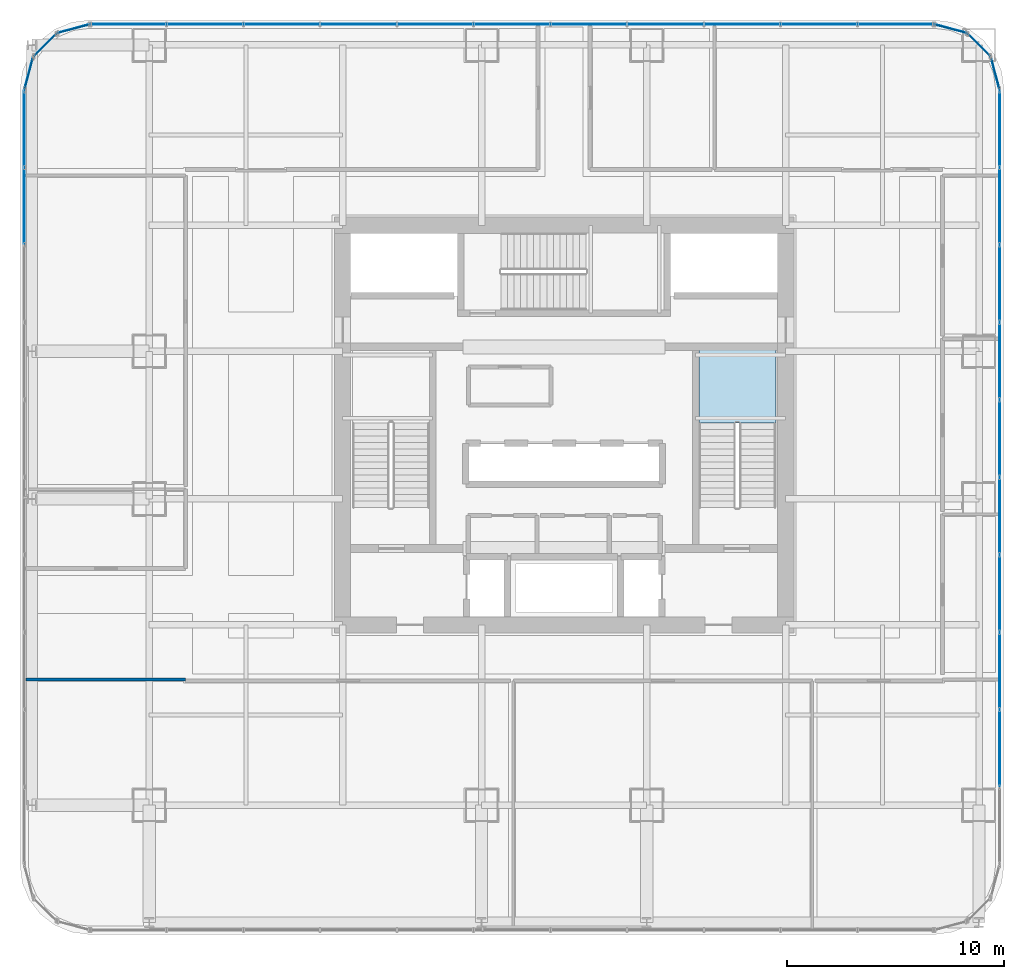
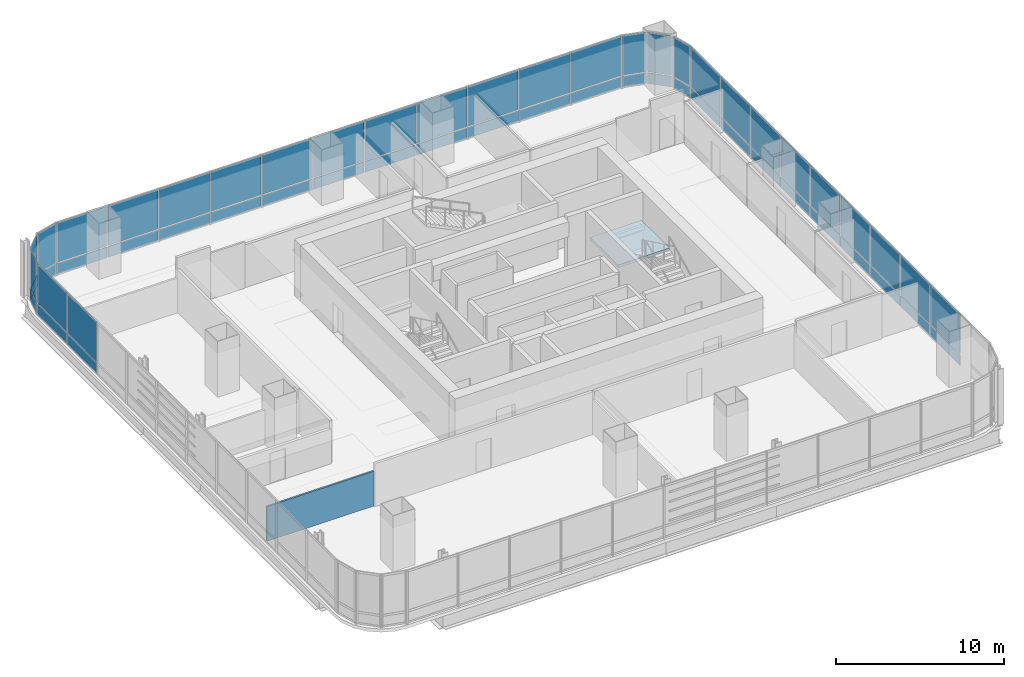
# One storey, part 27 of 36: 56 plates, 1 slab, 1 wall, 10 elements without a shape of their own.
"""IFC4 building model written with IfcOpenShell, lengths in metres."""

from ifc_helpers import new_model, si_unit, direction, frame, frame_2d, origin, origin_2d, place, context, subcontext, project, spatial, polyline, rectangle, outline, extrude, material, layer, layer_set, type_object, element, aggregate, save


model = new_model("IFC4")

# Units and contexts
model_context = context("Model", 3, precision=1e-05, world=origin(), true_north=direction((0.0, 1.0)))
body_context = subcontext(model_context, "Body", "Model", "MODEL_VIEW")
ifc_project = project(units=[si_unit("LENGTHUNIT", "METRE"), si_unit("AREAUNIT", "SQUARE_METRE"), si_unit("VOLUMEUNIT", "CUBIC_METRE"), si_unit("PLANEANGLEUNIT", "RADIAN"), si_unit("MASSUNIT", "GRAM", prefix="KILO")], contexts=[model_context])

# Site, building, storey
site_placement = place(None, origin())
site = spatial("IfcSite", under=ifc_project, at=site_placement, CompositionType="ELEMENT")
building_placement = place(site_placement, origin())
building = spatial("IfcBuilding", under=site, at=building_placement, Name="Punatoya Terracotta Tower", CompositionType="ELEMENT")
storey_placement = place(building_placement, frame((0.0, 0.0, 36.300048828125)))
storey = spatial("IfcBuildingStorey", under=building, at=storey_placement, Name="L07", CompositionType="ELEMENT", Elevation=36.300048828125)

# Curtain wall, plates
ifc_material_1 = material(Name="Aluminium 6063-T6 + Double Low-E Glass", Category="aluminium")
curtain_wall_type = type_object("IfcCurtainWallType", Name="CW-M1", PredefinedType="NOTDEFINED", material=ifc_material_1)
curtain_wall_1_placement = place(storey_placement, origin())
curtain_wall_1 = element("IfcCurtainWall", 1, at=curtain_wall_1_placement, inside=storey, type_object=curtain_wall_type, Name="L07 Curtain Wall CW-L07-E05-1", PredefinedType="NOTDEFINED")
ifc_material_2 = material(Name="Double Low-E Clear Vision Glass", Category="glass")
ifc_layer_1 = layer(ifc_material_2, 0.028076171875)
ifc_layer_set_1 = layer_set([ifc_layer_1], Name="Double Low-E Clear Vision Glass")
plate_type_1 = type_object("IfcPlateType", Name="PLT-GLZ-28", PredefinedType="CURTAIN_PANEL", material=ifc_layer_set_1)
plate_1_placement = place(storey_placement, frame((20.050048828125, -14.8857421875, 0.889892578125), z_axis=(0.0, 0.0, 1.0), x_axis=(0.0, 1.0, 0.0)))
plate_1 = element("IfcPlate", 2, at=plate_1_placement, type_object=plate_type_1, Name="CW-L07-E05-1 Vision Glass Panel 2", PredefinedType="CURTAIN_PANEL", context=body_context, shape_type="SweptSolid", body=[
    extrude(rectangle(XDim=3.482421875, YDim=0.028076171875, at=origin_2d()), origin(), (0.0, 0.0, 1.0), 2.8798828125),
])
plate_2_placement = place(storey_placement, frame((20.050048828125, -11.318359375, 0.889892578125), z_axis=(0.0, 0.0, 1.0), x_axis=(0.0, 1.0, 0.0)))
plate_2 = element("IfcPlate", 3, at=plate_2_placement, type_object=plate_type_1, Name="CW-L07-E05-1 Vision Glass Panel 3", PredefinedType="CURTAIN_PANEL", context=body_context, shape_type="SweptSolid", body=[
    extrude(rectangle(XDim=3.482421875, YDim=0.028076171875, at=origin_2d()), origin(), (0.0, 0.0, 1.0), 2.8798828125),
])
plate_3_placement = place(storey_placement, frame((20.050048828125, -7.751220703125, 0.889892578125), z_axis=(0.0, 0.0, 1.0), x_axis=(0.0, 1.0, 0.0)))
plate_3 = element("IfcPlate", 4, at=plate_3_placement, type_object=plate_type_1, Name="CW-L07-E05-1 Vision Glass Panel 4", PredefinedType="CURTAIN_PANEL", context=body_context, shape_type="SweptSolid", body=[
    extrude(rectangle(XDim=3.482421875, YDim=0.028076171875, at=origin_2d()), origin(), (0.0, 0.0, 1.0), 2.8798828125),
])
plate_4_placement = place(storey_placement, frame((20.050048828125, -4.18359375, 0.889892578125), z_axis=(0.0, 0.0, 1.0), x_axis=(0.0, 1.0, 0.0)))
plate_4 = element("IfcPlate", 5, at=plate_4_placement, type_object=plate_type_1, Name="CW-L07-E05-1 Vision Glass Panel 5", PredefinedType="CURTAIN_PANEL", context=body_context, shape_type="SweptSolid", body=[
    extrude(rectangle(XDim=3.482421875, YDim=0.028076171875, at=origin_2d()), origin(), (0.0, 0.0, 1.0), 2.8798828125),
])
plate_5_placement = place(storey_placement, frame((20.050048828125, -0.6162109375, 0.889892578125), z_axis=(0.0, 0.0, 1.0), x_axis=(0.0, 1.0, 0.0)))
plate_5 = element("IfcPlate", 6, at=plate_5_placement, type_object=plate_type_1, Name="CW-L07-E05-1 Vision Glass Panel 6", PredefinedType="CURTAIN_PANEL", context=body_context, shape_type="SweptSolid", body=[
    extrude(rectangle(XDim=3.482421875, YDim=0.028076171875, at=origin_2d()), origin(), (0.0, 0.0, 1.0), 2.8798828125),
])
plate_6_placement = place(storey_placement, frame((20.050048828125, 2.951171875, 0.889892578125), z_axis=(0.0, 0.0, 1.0), x_axis=(0.0, 1.0, 0.0)))
plate_6 = element("IfcPlate", 7, at=plate_6_placement, type_object=plate_type_1, Name="CW-L07-E05-1 Vision Glass Panel 7", PredefinedType="CURTAIN_PANEL", context=body_context, shape_type="SweptSolid", body=[
    extrude(rectangle(XDim=3.482421875, YDim=0.028076171875, at=origin_2d()), origin(), (0.0, 0.0, 1.0), 2.8798828125),
])
plate_7_placement = place(storey_placement, frame((20.050048828125, 6.518310546875, 0.889892578125), z_axis=(0.0, 0.0, 1.0), x_axis=(0.0, 1.0, 0.0)))
plate_7 = element("IfcPlate", 8, at=plate_7_placement, type_object=plate_type_1, Name="CW-L07-E05-1 Vision Glass Panel 8", PredefinedType="CURTAIN_PANEL", context=body_context, shape_type="SweptSolid", body=[
    extrude(rectangle(XDim=3.482421875, YDim=0.028076171875, at=origin_2d()), origin(), (0.0, 0.0, 1.0), 2.8798828125),
])
plate_8_placement = place(storey_placement, frame((20.050048828125, 10.085693359375, 0.889892578125), z_axis=(0.0, 0.0, 1.0), x_axis=(0.0, 1.0, 0.0)))
plate_8 = element("IfcPlate", 9, at=plate_8_placement, type_object=plate_type_1, Name="CW-L07-E05-1 Vision Glass Panel 9", PredefinedType="CURTAIN_PANEL", context=body_context, shape_type="SweptSolid", body=[
    extrude(rectangle(XDim=3.482421875, YDim=0.028076171875, at=origin_2d()), origin(), (0.0, 0.0, 1.0), 2.8798828125),
])
plate_9_placement = place(storey_placement, frame((20.050048828125, 13.6533203125, 0.889892578125), z_axis=(0.0, 0.0, 1.0), x_axis=(0.0, 1.0, 0.0)))
plate_9 = element("IfcPlate", 10, at=plate_9_placement, type_object=plate_type_1, Name="CW-L07-E05-1 Vision Glass Panel 10", PredefinedType="CURTAIN_PANEL", context=body_context, shape_type="SweptSolid", body=[
    extrude(rectangle(XDim=3.482421875, YDim=0.028076171875, at=origin_2d()), origin(), (0.0, 0.0, 1.0), 2.8798828125),
])

# Curtain wall, plate
curtain_wall_2_placement = place(storey_placement, origin())
curtain_wall_2 = element("IfcCurtainWall", 11, at=curtain_wall_2_placement, inside=storey, type_object=curtain_wall_type, Name="L07 Curtain Wall CW-L07-CRN06", PredefinedType="NOTDEFINED")
plate_10_placement = place(storey_placement, frame((19.848388671875, 16.193115234375, 0.889892578125), z_axis=(0.0, 0.0, 1.0), x_axis=(-0.257741620719, 0.966213877436, 0.0)))
plate_10 = element("IfcPlate", 12, at=plate_10_placement, type_object=plate_type_1, Name="CW-L07-CRN06 Vision Glass Panel 1", PredefinedType="CURTAIN_PANEL", context=body_context, shape_type="SweptSolid", body=[
    extrude(rectangle(XDim=1.47998046875, YDim=0.028076171875, at=origin_2d()), origin(), (0.0, 0.0, 1.0), 2.8798828125),
])

curtain_wall_3_placement = place(storey_placement, origin())
curtain_wall_3 = element("IfcCurtainWall", 13, at=curtain_wall_3_placement, inside=storey, type_object=curtain_wall_type, Name="L07 Curtain Wall CW-L07-CRN07", PredefinedType="NOTDEFINED")
plate_11_placement = place(storey_placement, frame((19.097900390625, 17.497802734375, 0.889892578125), z_axis=(0.0, 0.0, 1.0), x_axis=(-0.707106781187, 0.707106781187, 0.0)))
plate_11 = element("IfcPlate", 14, at=plate_11_placement, type_object=plate_type_1, Name="CW-L07-CRN07 Vision Glass Panel 1", PredefinedType="CURTAIN_PANEL", context=body_context, shape_type="SweptSolid", body=[
    extrude(rectangle(XDim=1.467041015625, YDim=0.028076171875, at=origin_2d()), origin(), (0.0, 0.0, 1.0), 2.8798828125),
])

curtain_wall_4_placement = place(storey_placement, origin())
curtain_wall_4 = element("IfcCurtainWall", 15, at=curtain_wall_4_placement, inside=storey, type_object=curtain_wall_type, Name="L07 Curtain Wall CW-L07-CRN08", PredefinedType="NOTDEFINED")
plate_12_placement = place(storey_placement, frame((17.79296875, 18.248291015625, 0.889892578125), z_axis=(0.0, 0.0, 1.0), x_axis=(-0.966213877436, 0.257741620719, 0.0)))
plate_12 = element("IfcPlate", 16, at=plate_12_placement, type_object=plate_type_1, Name="CW-L07-CRN08 Vision Glass Panel 1", PredefinedType="CURTAIN_PANEL", context=body_context, shape_type="SweptSolid", body=[
    extrude(rectangle(XDim=1.47998046875, YDim=0.028076171875, at=origin_2d()), origin(), (0.0, 0.0, 1.0), 2.8798828125),
])

# Curtain wall, plates
curtain_wall_5_placement = place(storey_placement, origin())
curtain_wall_5 = element("IfcCurtainWall", 17, at=curtain_wall_5_placement, inside=storey, type_object=curtain_wall_type, Name="L07 Curtain Wall CW-L07-N09-1", PredefinedType="NOTDEFINED")
plate_13_placement = place(storey_placement, frame((15.27001953125, 18.449951171875, 0.889892578125), z_axis=(0.0, 0.0, 1.0), x_axis=(-1.0, 0.0, 0.0)))
plate_13 = element("IfcPlate", 18, at=plate_13_placement, type_object=plate_type_1, Name="CW-L07-N09-1 Vision Glass Panel 1", PredefinedType="CURTAIN_PANEL", context=body_context, shape_type="SweptSolid", body=[
    extrude(rectangle(XDim=3.448974609375, YDim=0.028076171875, at=origin_2d()), origin(), (0.0, 0.0, 1.0), 2.8798828125),
])
plate_14_placement = place(storey_placement, frame((11.73583984375, 18.449951171875, 0.889892578125), z_axis=(0.0, 0.0, 1.0), x_axis=(-1.0, 0.0, 0.0)))
plate_14 = element("IfcPlate", 19, at=plate_14_placement, type_object=plate_type_1, Name="CW-L07-N09-1 Vision Glass Panel 2", PredefinedType="CURTAIN_PANEL", context=body_context, shape_type="SweptSolid", body=[
    extrude(rectangle(XDim=3.448974609375, YDim=0.028076171875, at=origin_2d()), origin(), (0.0, 0.0, 1.0), 2.8798828125),
])
plate_15_placement = place(storey_placement, frame((8.201904296875, 18.449951171875, 0.889892578125), z_axis=(0.0, 0.0, 1.0), x_axis=(-1.0, 0.0, 0.0)))
plate_15 = element("IfcPlate", 20, at=plate_15_placement, type_object=plate_type_1, Name="CW-L07-N09-1 Vision Glass Panel 3", PredefinedType="CURTAIN_PANEL", context=body_context, shape_type="SweptSolid", body=[
    extrude(rectangle(XDim=3.448974609375, YDim=0.028076171875, at=origin_2d()), origin(), (0.0, 0.0, 1.0), 2.8798828125),
])
plate_16_placement = place(storey_placement, frame((4.66796875, 18.449951171875, 0.889892578125), z_axis=(0.0, 0.0, 1.0), x_axis=(-1.0, 0.0, 0.0)))
plate_16 = element("IfcPlate", 21, at=plate_16_placement, type_object=plate_type_1, Name="CW-L07-N09-1 Vision Glass Panel 4", PredefinedType="CURTAIN_PANEL", context=body_context, shape_type="SweptSolid", body=[
    extrude(rectangle(XDim=3.448974609375, YDim=0.028076171875, at=origin_2d()), origin(), (0.0, 0.0, 1.0), 2.8798828125),
])
plate_17_placement = place(storey_placement, frame((1.134033203125, 18.449951171875, 0.889892578125), z_axis=(0.0, 0.0, 1.0), x_axis=(-1.0, 0.0, 0.0)))
plate_17 = element("IfcPlate", 22, at=plate_17_placement, type_object=plate_type_1, Name="CW-L07-N09-1 Vision Glass Panel 5", PredefinedType="CURTAIN_PANEL", context=body_context, shape_type="SweptSolid", body=[
    extrude(rectangle(XDim=3.448974609375, YDim=0.028076171875, at=origin_2d()), origin(), (0.0, 0.0, 1.0), 2.8798828125),
])
plate_18_placement = place(storey_placement, frame((-2.39990234375, 18.449951171875, 0.889892578125), z_axis=(0.0, 0.0, 1.0), x_axis=(-1.0, 0.0, 0.0)))
plate_18 = element("IfcPlate", 23, at=plate_18_placement, type_object=plate_type_1, Name="CW-L07-N09-1 Vision Glass Panel 6", PredefinedType="CURTAIN_PANEL", context=body_context, shape_type="SweptSolid", body=[
    extrude(rectangle(XDim=3.448974609375, YDim=0.028076171875, at=origin_2d()), origin(), (0.0, 0.0, 1.0), 2.8798828125),
])
plate_19_placement = place(storey_placement, frame((-5.93408203125, 18.449951171875, 0.889892578125), z_axis=(0.0, 0.0, 1.0), x_axis=(-1.0, 0.0, 0.0)))
plate_19 = element("IfcPlate", 24, at=plate_19_placement, type_object=plate_type_1, Name="CW-L07-N09-1 Vision Glass Panel 7", PredefinedType="CURTAIN_PANEL", context=body_context, shape_type="SweptSolid", body=[
    extrude(rectangle(XDim=3.448974609375, YDim=0.028076171875, at=origin_2d()), origin(), (0.0, 0.0, 1.0), 2.8798828125),
])
plate_20_placement = place(storey_placement, frame((-9.468017578125, 18.449951171875, 0.889892578125), z_axis=(0.0, 0.0, 1.0), x_axis=(-1.0, 0.0, 0.0)))
plate_20 = element("IfcPlate", 25, at=plate_20_placement, type_object=plate_type_1, Name="CW-L07-N09-1 Vision Glass Panel 8", PredefinedType="CURTAIN_PANEL", context=body_context, shape_type="SweptSolid", body=[
    extrude(rectangle(XDim=3.448974609375, YDim=0.028076171875, at=origin_2d()), origin(), (0.0, 0.0, 1.0), 2.8798828125),
])
plate_21_placement = place(storey_placement, frame((-13.001953125, 18.449951171875, 0.889892578125), z_axis=(0.0, 0.0, 1.0), x_axis=(-1.0, 0.0, 0.0)))
plate_21 = element("IfcPlate", 26, at=plate_21_placement, type_object=plate_type_1, Name="CW-L07-N09-1 Vision Glass Panel 9", PredefinedType="CURTAIN_PANEL", context=body_context, shape_type="SweptSolid", body=[
    extrude(rectangle(XDim=3.448974609375, YDim=0.028076171875, at=origin_2d()), origin(), (0.0, 0.0, 1.0), 2.8798828125),
])
plate_22_placement = place(storey_placement, frame((-16.535888671875, 18.449951171875, 0.889892578125), z_axis=(0.0, 0.0, 1.0), x_axis=(-1.0, 0.0, 0.0)))
plate_22 = element("IfcPlate", 27, at=plate_22_placement, type_object=plate_type_1, Name="CW-L07-N09-1 Vision Glass Panel 10", PredefinedType="CURTAIN_PANEL", context=body_context, shape_type="SweptSolid", body=[
    extrude(rectangle(XDim=3.448974609375, YDim=0.028076171875, at=origin_2d()), origin(), (0.0, 0.0, 1.0), 2.8798828125),
])
plate_23_placement = place(storey_placement, frame((-20.06982421875, 18.449951171875, 0.889892578125), z_axis=(0.0, 0.0, 1.0), x_axis=(-1.0, 0.0, 0.0)))
plate_23 = element("IfcPlate", 28, at=plate_23_placement, type_object=plate_type_1, Name="CW-L07-N09-1 Vision Glass Panel 11", PredefinedType="CURTAIN_PANEL", context=body_context, shape_type="SweptSolid", body=[
    extrude(rectangle(XDim=3.448974609375, YDim=0.028076171875, at=origin_2d()), origin(), (0.0, 0.0, 1.0), 2.8798828125),
])

# Curtain wall, plate
curtain_wall_6_placement = place(storey_placement, origin())
curtain_wall_6 = element("IfcCurtainWall", 29, at=curtain_wall_6_placement, inside=storey, type_object=curtain_wall_type, Name="L07 Curtain Wall CW-L07-CRN10", PredefinedType="NOTDEFINED")
plate_24_placement = place(storey_placement, frame((-22.593017578125, 18.248291015625, 0.889892578125), z_axis=(0.0, 0.0, 1.0), x_axis=(-0.966213877436, -0.257741620719, 0.0)))
plate_24 = element("IfcPlate", 30, at=plate_24_placement, type_object=plate_type_1, Name="CW-L07-CRN10 Vision Glass Panel 1", PredefinedType="CURTAIN_PANEL", context=body_context, shape_type="SweptSolid", body=[
    extrude(rectangle(XDim=1.47998046875, YDim=0.028076171875, at=origin_2d()), origin(), (0.0, 0.0, 1.0), 2.8798828125),
])

curtain_wall_7_placement = place(storey_placement, origin())
curtain_wall_7 = element("IfcCurtainWall", 31, at=curtain_wall_7_placement, inside=storey, type_object=curtain_wall_type, Name="L07 Curtain Wall CW-L07-CRN11", PredefinedType="NOTDEFINED")
plate_25_placement = place(storey_placement, frame((-23.89794921875, 17.497802734375, 0.889892578125), z_axis=(0.0, 0.0, 1.0), x_axis=(-0.707106781187, -0.707106781187, 0.0)))
plate_25 = element("IfcPlate", 32, at=plate_25_placement, type_object=plate_type_1, Name="CW-L07-CRN11 Vision Glass Panel 1", PredefinedType="CURTAIN_PANEL", context=body_context, shape_type="SweptSolid", body=[
    extrude(rectangle(XDim=1.467041015625, YDim=0.028076171875, at=origin_2d()), origin(), (0.0, 0.0, 1.0), 2.8798828125),
])

curtain_wall_8_placement = place(storey_placement, origin())
curtain_wall_8 = element("IfcCurtainWall", 33, at=curtain_wall_8_placement, inside=storey, type_object=curtain_wall_type, Name="L07 Curtain Wall CW-L07-CRN12", PredefinedType="NOTDEFINED")
plate_26_placement = place(storey_placement, frame((-24.648193359375, 16.193115234375, 0.889892578125), z_axis=(0.0, 0.0, 1.0), x_axis=(-0.257741620719, -0.966213877436, 0.0)))
plate_26 = element("IfcPlate", 34, at=plate_26_placement, type_object=plate_type_1, Name="CW-L07-CRN12 Vision Glass Panel 1", PredefinedType="CURTAIN_PANEL", context=body_context, shape_type="SweptSolid", body=[
    extrude(rectangle(XDim=1.47998046875, YDim=0.028076171875, at=origin_2d()), origin(), (0.0, 0.0, 1.0), 2.8798828125),
])

# Curtain wall, plates
curtain_wall_9_placement = place(storey_placement, origin())
curtain_wall_9 = element("IfcCurtainWall", 35, at=curtain_wall_9_placement, inside=storey, type_object=curtain_wall_type, Name="L07 Curtain Wall CW-L07-W13-1", PredefinedType="NOTDEFINED")
plate_27_placement = place(storey_placement, frame((-24.85009765625, 13.6533203125, 0.889892578125), z_axis=(0.0, 0.0, 1.0), x_axis=(0.0, -1.0, 0.0)))
plate_27 = element("IfcPlate", 36, at=plate_27_placement, type_object=plate_type_1, Name="CW-L07-W13-1 Vision Glass Panel 1", PredefinedType="CURTAIN_PANEL", context=body_context, shape_type="SweptSolid", body=[
    extrude(rectangle(XDim=3.482421875, YDim=0.028076171875, at=origin_2d()), origin(), (0.0, 0.0, 1.0), 2.8798828125),
])
plate_28_placement = place(storey_placement, frame((-24.85009765625, 10.085693359375, 0.889892578125), z_axis=(0.0, 0.0, 1.0), x_axis=(0.0, -1.0, 0.0)))
plate_28 = element("IfcPlate", 37, at=plate_28_placement, type_object=plate_type_1, Name="CW-L07-W13-1 Vision Glass Panel 2", PredefinedType="CURTAIN_PANEL", context=body_context, shape_type="SweptSolid", body=[
    extrude(rectangle(XDim=3.482421875, YDim=0.028076171875, at=origin_2d()), origin(), (0.0, 0.0, 1.0), 2.8798828125),
])

# Plate
ifc_material_3 = material(Name="Insulated Terracotta-Backed Spandrel Panel", Category="masonry")
ifc_layer_2 = layer(ifc_material_3, 0.044921875)
ifc_layer_set_2 = layer_set([ifc_layer_2], Name="Insulated Terracotta-Backed Spandrel Panel")
plate_type_2 = type_object("IfcPlateType", Name="PLT-SPN-45", PredefinedType="CURTAIN_PANEL", material=ifc_layer_set_2)
plate_29_placement = place(storey_placement, frame((20.050048828125, -14.8857421875, 0.0400390625), z_axis=(0.0, 0.0, 1.0), x_axis=(0.0, 1.0, 0.0)))
plate_29 = element("IfcPlate", 38, at=plate_29_placement, type_object=plate_type_2, Name="CW-L07-E05-1 Terracotta Spandrel Panel 2", PredefinedType="CURTAIN_PANEL", context=body_context, shape_type="SweptSolid", body=[
    extrude(rectangle(XDim=3.482421875, YDim=0.044921875, at=origin_2d()), origin(), (0.0, 0.0, 1.0), 0.77490234375),
])

plate_30_placement = place(storey_placement, frame((20.050048828125, -11.318359375, 0.0400390625), z_axis=(0.0, 0.0, 1.0), x_axis=(0.0, 1.0, 0.0)))
plate_30 = element("IfcPlate", 39, at=plate_30_placement, type_object=plate_type_2, Name="CW-L07-E05-1 Terracotta Spandrel Panel 3", PredefinedType="CURTAIN_PANEL", context=body_context, shape_type="SweptSolid", body=[
    extrude(rectangle(XDim=3.482421875, YDim=0.044921875, at=origin_2d()), origin(), (0.0, 0.0, 1.0), 0.77490234375),
])

plate_31_placement = place(storey_placement, frame((20.050048828125, -7.751220703125, 0.0400390625), z_axis=(0.0, 0.0, 1.0), x_axis=(0.0, 1.0, 0.0)))
plate_31 = element("IfcPlate", 40, at=plate_31_placement, type_object=plate_type_2, Name="CW-L07-E05-1 Terracotta Spandrel Panel 4", PredefinedType="CURTAIN_PANEL", context=body_context, shape_type="SweptSolid", body=[
    extrude(rectangle(XDim=3.482421875, YDim=0.044921875, at=origin_2d()), origin(), (0.0, 0.0, 1.0), 0.77490234375),
])

plate_32_placement = place(storey_placement, frame((20.050048828125, -4.18359375, 0.0400390625), z_axis=(0.0, 0.0, 1.0), x_axis=(0.0, 1.0, 0.0)))
plate_32 = element("IfcPlate", 41, at=plate_32_placement, type_object=plate_type_2, Name="CW-L07-E05-1 Terracotta Spandrel Panel 5", PredefinedType="CURTAIN_PANEL", context=body_context, shape_type="SweptSolid", body=[
    extrude(rectangle(XDim=3.482421875, YDim=0.044921875, at=origin_2d()), origin(), (0.0, 0.0, 1.0), 0.77490234375),
])

plate_33_placement = place(storey_placement, frame((20.050048828125, -0.6162109375, 0.0400390625), z_axis=(0.0, 0.0, 1.0), x_axis=(0.0, 1.0, 0.0)))
plate_33 = element("IfcPlate", 42, at=plate_33_placement, type_object=plate_type_2, Name="CW-L07-E05-1 Terracotta Spandrel Panel 6", PredefinedType="CURTAIN_PANEL", context=body_context, shape_type="SweptSolid", body=[
    extrude(rectangle(XDim=3.482421875, YDim=0.044921875, at=origin_2d()), origin(), (0.0, 0.0, 1.0), 0.77490234375),
])

plate_34_placement = place(storey_placement, frame((20.050048828125, 2.951171875, 0.0400390625), z_axis=(0.0, 0.0, 1.0), x_axis=(0.0, 1.0, 0.0)))
plate_34 = element("IfcPlate", 43, at=plate_34_placement, type_object=plate_type_2, Name="CW-L07-E05-1 Terracotta Spandrel Panel 7", PredefinedType="CURTAIN_PANEL", context=body_context, shape_type="SweptSolid", body=[
    extrude(rectangle(XDim=3.482421875, YDim=0.044921875, at=origin_2d()), origin(), (0.0, 0.0, 1.0), 0.77490234375),
])

plate_35_placement = place(storey_placement, frame((20.050048828125, 6.518310546875, 0.0400390625), z_axis=(0.0, 0.0, 1.0), x_axis=(0.0, 1.0, 0.0)))
plate_35 = element("IfcPlate", 44, at=plate_35_placement, type_object=plate_type_2, Name="CW-L07-E05-1 Terracotta Spandrel Panel 8", PredefinedType="CURTAIN_PANEL", context=body_context, shape_type="SweptSolid", body=[
    extrude(rectangle(XDim=3.482421875, YDim=0.044921875, at=origin_2d()), origin(), (0.0, 0.0, 1.0), 0.77490234375),
])

plate_36_placement = place(storey_placement, frame((20.050048828125, 10.085693359375, 0.0400390625), z_axis=(0.0, 0.0, 1.0), x_axis=(0.0, 1.0, 0.0)))
plate_36 = element("IfcPlate", 45, at=plate_36_placement, type_object=plate_type_2, Name="CW-L07-E05-1 Terracotta Spandrel Panel 9", PredefinedType="CURTAIN_PANEL", context=body_context, shape_type="SweptSolid", body=[
    extrude(rectangle(XDim=3.482421875, YDim=0.044921875, at=origin_2d()), origin(), (0.0, 0.0, 1.0), 0.77490234375),
])

plate_37_placement = place(storey_placement, frame((20.050048828125, 13.6533203125, 0.0400390625), z_axis=(0.0, 0.0, 1.0), x_axis=(0.0, 1.0, 0.0)))
plate_37 = element("IfcPlate", 46, at=plate_37_placement, type_object=plate_type_2, Name="CW-L07-E05-1 Terracotta Spandrel Panel 10", PredefinedType="CURTAIN_PANEL", context=body_context, shape_type="SweptSolid", body=[
    extrude(rectangle(XDim=3.482421875, YDim=0.044921875, at=origin_2d()), origin(), (0.0, 0.0, 1.0), 0.77490234375),
])

aggregate(curtain_wall_1, [plate_29, plate_1, plate_30, plate_2, plate_31, plate_3, plate_32, plate_4, plate_33, plate_5, plate_34, plate_6, plate_35, plate_7, plate_36, plate_8, plate_37, plate_9])

plate_38_placement = place(storey_placement, frame((19.848388671875, 16.193115234375, 0.0400390625), z_axis=(0.0, 0.0, 1.0), x_axis=(-0.257741620719, 0.966213877436, 0.0)))
plate_38 = element("IfcPlate", 47, at=plate_38_placement, type_object=plate_type_2, Name="CW-L07-CRN06 Terracotta Spandrel Panel 1", PredefinedType="CURTAIN_PANEL", context=body_context, shape_type="SweptSolid", body=[
    extrude(rectangle(XDim=1.47998046875, YDim=0.044921875, at=origin_2d()), origin(), (0.0, 0.0, 1.0), 0.77490234375),
])

aggregate(curtain_wall_2, [plate_38, plate_10])

plate_39_placement = place(storey_placement, frame((19.097900390625, 17.497802734375, 0.0400390625), z_axis=(0.0, 0.0, 1.0), x_axis=(-0.707106781187, 0.707106781187, 0.0)))
plate_39 = element("IfcPlate", 48, at=plate_39_placement, type_object=plate_type_2, Name="CW-L07-CRN07 Terracotta Spandrel Panel 1", PredefinedType="CURTAIN_PANEL", context=body_context, shape_type="SweptSolid", body=[
    extrude(rectangle(XDim=1.467041015625, YDim=0.044921875, at=origin_2d()), origin(), (0.0, 0.0, 1.0), 0.77490234375),
])

aggregate(curtain_wall_3, [plate_39, plate_11])

plate_40_placement = place(storey_placement, frame((17.79296875, 18.248291015625, 0.0400390625), z_axis=(0.0, 0.0, 1.0), x_axis=(-0.966213877436, 0.257741620719, 0.0)))
plate_40 = element("IfcPlate", 49, at=plate_40_placement, type_object=plate_type_2, Name="CW-L07-CRN08 Terracotta Spandrel Panel 1", PredefinedType="CURTAIN_PANEL", context=body_context, shape_type="SweptSolid", body=[
    extrude(rectangle(XDim=1.47998046875, YDim=0.044921875, at=origin_2d()), origin(), (0.0, 0.0, 1.0), 0.77490234375),
])

aggregate(curtain_wall_4, [plate_40, plate_12])

plate_41_placement = place(storey_placement, frame((15.27001953125, 18.449951171875, 0.0400390625), z_axis=(0.0, 0.0, 1.0), x_axis=(-1.0, 0.0, 0.0)))
plate_41 = element("IfcPlate", 50, at=plate_41_placement, type_object=plate_type_2, Name="CW-L07-N09-1 Terracotta Spandrel Panel 1", PredefinedType="CURTAIN_PANEL", context=body_context, shape_type="SweptSolid", body=[
    extrude(rectangle(XDim=3.448974609375, YDim=0.044921875, at=origin_2d()), origin(), (0.0, 0.0, 1.0), 0.77490234375),
])

plate_42_placement = place(storey_placement, frame((11.73583984375, 18.449951171875, 0.0400390625), z_axis=(0.0, 0.0, 1.0), x_axis=(-1.0, 0.0, 0.0)))
plate_42 = element("IfcPlate", 51, at=plate_42_placement, type_object=plate_type_2, Name="CW-L07-N09-1 Terracotta Spandrel Panel 2", PredefinedType="CURTAIN_PANEL", context=body_context, shape_type="SweptSolid", body=[
    extrude(rectangle(XDim=3.448974609375, YDim=0.044921875, at=origin_2d()), origin(), (0.0, 0.0, 1.0), 0.77490234375),
])

plate_43_placement = place(storey_placement, frame((8.201904296875, 18.449951171875, 0.0400390625), z_axis=(0.0, 0.0, 1.0), x_axis=(-1.0, 0.0, 0.0)))
plate_43 = element("IfcPlate", 52, at=plate_43_placement, type_object=plate_type_2, Name="CW-L07-N09-1 Terracotta Spandrel Panel 3", PredefinedType="CURTAIN_PANEL", context=body_context, shape_type="SweptSolid", body=[
    extrude(rectangle(XDim=3.448974609375, YDim=0.044921875, at=origin_2d()), origin(), (0.0, 0.0, 1.0), 0.77490234375),
])

plate_44_placement = place(storey_placement, frame((4.66796875, 18.449951171875, 0.0400390625), z_axis=(0.0, 0.0, 1.0), x_axis=(-1.0, 0.0, 0.0)))
plate_44 = element("IfcPlate", 53, at=plate_44_placement, type_object=plate_type_2, Name="CW-L07-N09-1 Terracotta Spandrel Panel 4", PredefinedType="CURTAIN_PANEL", context=body_context, shape_type="SweptSolid", body=[
    extrude(rectangle(XDim=3.448974609375, YDim=0.044921875, at=origin_2d()), origin(), (0.0, 0.0, 1.0), 0.77490234375),
])

plate_45_placement = place(storey_placement, frame((1.134033203125, 18.449951171875, 0.0400390625), z_axis=(0.0, 0.0, 1.0), x_axis=(-1.0, 0.0, 0.0)))
plate_45 = element("IfcPlate", 54, at=plate_45_placement, type_object=plate_type_2, Name="CW-L07-N09-1 Terracotta Spandrel Panel 5", PredefinedType="CURTAIN_PANEL", context=body_context, shape_type="SweptSolid", body=[
    extrude(rectangle(XDim=3.448974609375, YDim=0.044921875, at=origin_2d()), origin(), (0.0, 0.0, 1.0), 0.77490234375),
])

plate_46_placement = place(storey_placement, frame((-2.39990234375, 18.449951171875, 0.0400390625), z_axis=(0.0, 0.0, 1.0), x_axis=(-1.0, 0.0, 0.0)))
plate_46 = element("IfcPlate", 55, at=plate_46_placement, type_object=plate_type_2, Name="CW-L07-N09-1 Terracotta Spandrel Panel 6", PredefinedType="CURTAIN_PANEL", context=body_context, shape_type="SweptSolid", body=[
    extrude(rectangle(XDim=3.448974609375, YDim=0.044921875, at=origin_2d()), origin(), (0.0, 0.0, 1.0), 0.77490234375),
])

plate_47_placement = place(storey_placement, frame((-5.93408203125, 18.449951171875, 0.0400390625), z_axis=(0.0, 0.0, 1.0), x_axis=(-1.0, 0.0, 0.0)))
plate_47 = element("IfcPlate", 56, at=plate_47_placement, type_object=plate_type_2, Name="CW-L07-N09-1 Terracotta Spandrel Panel 7", PredefinedType="CURTAIN_PANEL", context=body_context, shape_type="SweptSolid", body=[
    extrude(rectangle(XDim=3.448974609375, YDim=0.044921875, at=origin_2d()), origin(), (0.0, 0.0, 1.0), 0.77490234375),
])

plate_48_placement = place(storey_placement, frame((-9.468017578125, 18.449951171875, 0.0400390625), z_axis=(0.0, 0.0, 1.0), x_axis=(-1.0, 0.0, 0.0)))
plate_48 = element("IfcPlate", 57, at=plate_48_placement, type_object=plate_type_2, Name="CW-L07-N09-1 Terracotta Spandrel Panel 8", PredefinedType="CURTAIN_PANEL", context=body_context, shape_type="SweptSolid", body=[
    extrude(rectangle(XDim=3.448974609375, YDim=0.044921875, at=origin_2d()), origin(), (0.0, 0.0, 1.0), 0.77490234375),
])

plate_49_placement = place(storey_placement, frame((-13.001953125, 18.449951171875, 0.0400390625), z_axis=(0.0, 0.0, 1.0), x_axis=(-1.0, 0.0, 0.0)))
plate_49 = element("IfcPlate", 58, at=plate_49_placement, type_object=plate_type_2, Name="CW-L07-N09-1 Terracotta Spandrel Panel 9", PredefinedType="CURTAIN_PANEL", context=body_context, shape_type="SweptSolid", body=[
    extrude(rectangle(XDim=3.448974609375, YDim=0.044921875, at=origin_2d()), origin(), (0.0, 0.0, 1.0), 0.77490234375),
])

plate_50_placement = place(storey_placement, frame((-16.535888671875, 18.449951171875, 0.0400390625), z_axis=(0.0, 0.0, 1.0), x_axis=(-1.0, 0.0, 0.0)))
plate_50 = element("IfcPlate", 59, at=plate_50_placement, type_object=plate_type_2, Name="CW-L07-N09-1 Terracotta Spandrel Panel 10", PredefinedType="CURTAIN_PANEL", context=body_context, shape_type="SweptSolid", body=[
    extrude(rectangle(XDim=3.448974609375, YDim=0.044921875, at=origin_2d()), origin(), (0.0, 0.0, 1.0), 0.77490234375),
])

plate_51_placement = place(storey_placement, frame((-20.06982421875, 18.449951171875, 0.0400390625), z_axis=(0.0, 0.0, 1.0), x_axis=(-1.0, 0.0, 0.0)))
plate_51 = element("IfcPlate", 60, at=plate_51_placement, type_object=plate_type_2, Name="CW-L07-N09-1 Terracotta Spandrel Panel 11", PredefinedType="CURTAIN_PANEL", context=body_context, shape_type="SweptSolid", body=[
    extrude(rectangle(XDim=3.448974609375, YDim=0.044921875, at=origin_2d()), origin(), (0.0, 0.0, 1.0), 0.77490234375),
])

aggregate(curtain_wall_5, [plate_41, plate_13, plate_42, plate_14, plate_43, plate_15, plate_44, plate_16, plate_45, plate_17, plate_46, plate_18, plate_47, plate_19, plate_48, plate_20, plate_49, plate_21, plate_50, plate_22, plate_51, plate_23])

plate_52_placement = place(storey_placement, frame((-22.593017578125, 18.248291015625, 0.0400390625), z_axis=(0.0, 0.0, 1.0), x_axis=(-0.966213877436, -0.257741620719, 0.0)))
plate_52 = element("IfcPlate", 61, at=plate_52_placement, type_object=plate_type_2, Name="CW-L07-CRN10 Terracotta Spandrel Panel 1", PredefinedType="CURTAIN_PANEL", context=body_context, shape_type="SweptSolid", body=[
    extrude(rectangle(XDim=1.47998046875, YDim=0.044921875, at=origin_2d()), origin(), (0.0, 0.0, 1.0), 0.77490234375),
])

aggregate(curtain_wall_6, [plate_52, plate_24])

plate_53_placement = place(storey_placement, frame((-23.89794921875, 17.497802734375, 0.0400390625), z_axis=(0.0, 0.0, 1.0), x_axis=(-0.707106781187, -0.707106781187, 0.0)))
plate_53 = element("IfcPlate", 62, at=plate_53_placement, type_object=plate_type_2, Name="CW-L07-CRN11 Terracotta Spandrel Panel 1", PredefinedType="CURTAIN_PANEL", context=body_context, shape_type="SweptSolid", body=[
    extrude(rectangle(XDim=1.467041015625, YDim=0.044921875, at=origin_2d()), origin(), (0.0, 0.0, 1.0), 0.77490234375),
])

aggregate(curtain_wall_7, [plate_53, plate_25])

plate_54_placement = place(storey_placement, frame((-24.648193359375, 16.193115234375, 0.0400390625), z_axis=(0.0, 0.0, 1.0), x_axis=(-0.257741620719, -0.966213877436, 0.0)))
plate_54 = element("IfcPlate", 63, at=plate_54_placement, type_object=plate_type_2, Name="CW-L07-CRN12 Terracotta Spandrel Panel 1", PredefinedType="CURTAIN_PANEL", context=body_context, shape_type="SweptSolid", body=[
    extrude(rectangle(XDim=1.47998046875, YDim=0.044921875, at=origin_2d()), origin(), (0.0, 0.0, 1.0), 0.77490234375),
])

aggregate(curtain_wall_8, [plate_54, plate_26])

plate_55_placement = place(storey_placement, frame((-24.85009765625, 13.6533203125, 0.0400390625), z_axis=(0.0, 0.0, 1.0), x_axis=(0.0, -1.0, 0.0)))
plate_55 = element("IfcPlate", 64, at=plate_55_placement, type_object=plate_type_2, Name="CW-L07-W13-1 Terracotta Spandrel Panel 1", PredefinedType="CURTAIN_PANEL", context=body_context, shape_type="SweptSolid", body=[
    extrude(rectangle(XDim=3.482421875, YDim=0.044921875, at=origin_2d()), origin(), (0.0, 0.0, 1.0), 0.77490234375),
])

plate_56_placement = place(storey_placement, frame((-24.85009765625, 10.085693359375, 0.0400390625), z_axis=(0.0, 0.0, 1.0), x_axis=(0.0, -1.0, 0.0)))
plate_56 = element("IfcPlate", 65, at=plate_56_placement, type_object=plate_type_2, Name="CW-L07-W13-1 Terracotta Spandrel Panel 2", PredefinedType="CURTAIN_PANEL", context=body_context, shape_type="SweptSolid", body=[
    extrude(rectangle(XDim=3.482421875, YDim=0.044921875, at=origin_2d()), origin(), (0.0, 0.0, 1.0), 0.77490234375),
])

aggregate(curtain_wall_9, [plate_55, plate_27, plate_56, plate_28])

# Stair, slab
ifc_material_4 = material(Name="Concrete C40/50", Category="concrete")
stair_type = type_object("IfcStairType", Name="STR-LOB-1650", PredefinedType="HALF_TURN_STAIR", material=ifc_material_4)
stair_placement = place(storey_placement, origin())
stair = element("IfcStair", 66, at=stair_placement, inside=storey, type_object=stair_type, Name="L07 Protected Core Exit Stair ST-2", PredefinedType="HALF_TURN_STAIR")
ifc_layer_3 = layer(ifc_material_4, 0.179931640625)
ifc_layer_set_3 = layer_set([ifc_layer_3], Name="Concrete C40/50")
slab_type = type_object("IfcSlabType", Name="SLB-LND-180", PredefinedType="LANDING", material=ifc_layer_set_3)
slab_placement = place(storey_placement, frame((0.0, 0.0, 1.824951171875)))
slab = element("IfcSlab", 67, at=slab_placement, type_object=slab_type, Name="ST-2 landing 1", PredefinedType="LANDING", context=body_context, shape_type="SweptSolid", body=[
    extrude(outline(polyline([(9.75, 0.10009765625), (9.75, 3.449951171875), (6.199951171875, 3.449951171875), (6.199951171875, 0.10009765625), (9.75, 0.10009765625)])), origin(), (0.0, 0.0, 1.0), 0.199951171875),
])
aggregate(stair, [slab])

# Wall
ifc_material_5 = material(Name="Gypsum Partition + Steel Stud", Category="steel")
ifc_layer_4 = layer(ifc_material_5, 0.1201171875)
ifc_layer_set_4 = layer_set([ifc_layer_4], Name="Gypsum Partition + Steel Stud")
wall_type = type_object("IfcWallType", Name="WL-OFF-120", PredefinedType="PARTITIONING", material=ifc_layer_set_4)
wall_placement = place(storey_placement, frame((-24.77001953125, -11.7099609375, 0.0), z_axis=(0.0, 0.0, 1.0), x_axis=(1.0, 0.0, 0.0)))
element("IfcWall", 68, at=wall_placement, inside=storey, type_object=wall_type, Name="L07 Analytical Practice Office Partition 16", PredefinedType="PARTITIONING", context=body_context, shape_type="SweptSolid", body=[
    extrude(rectangle(XDim=7.35009765625, YDim=0.1201171875, at=frame_2d((3.675048828125, 0.0))), origin(), (0.0, 0.0, 1.0), 2.52392578125),
])

save(model, "model.ifc")
